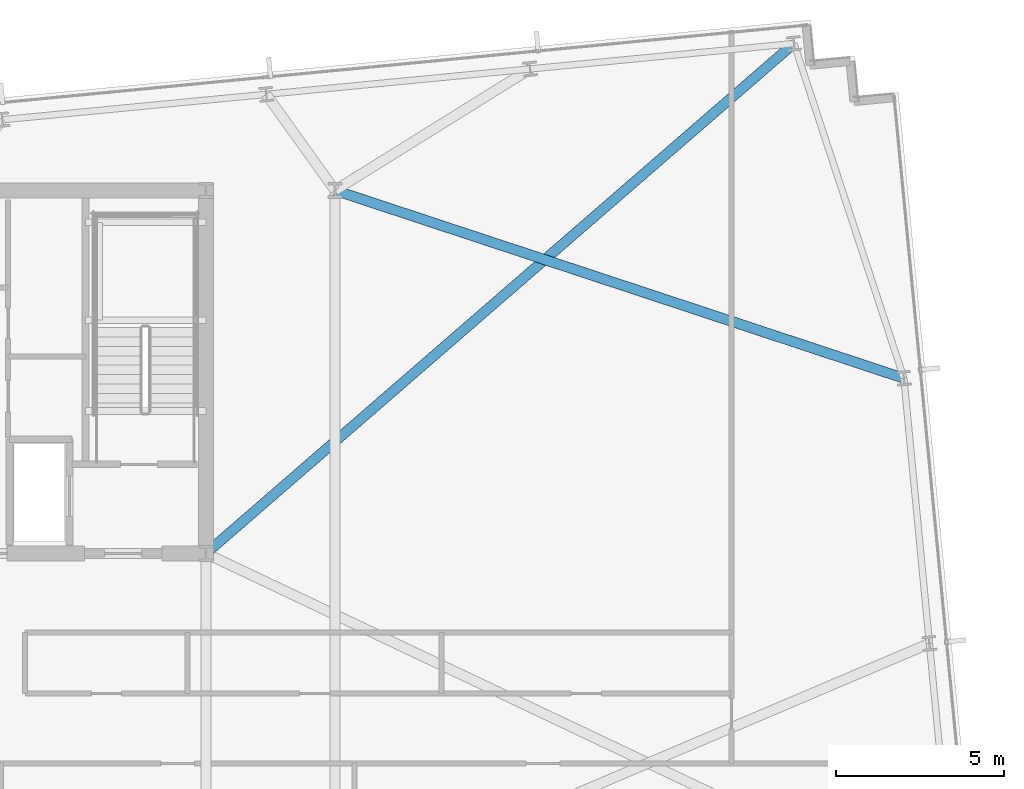
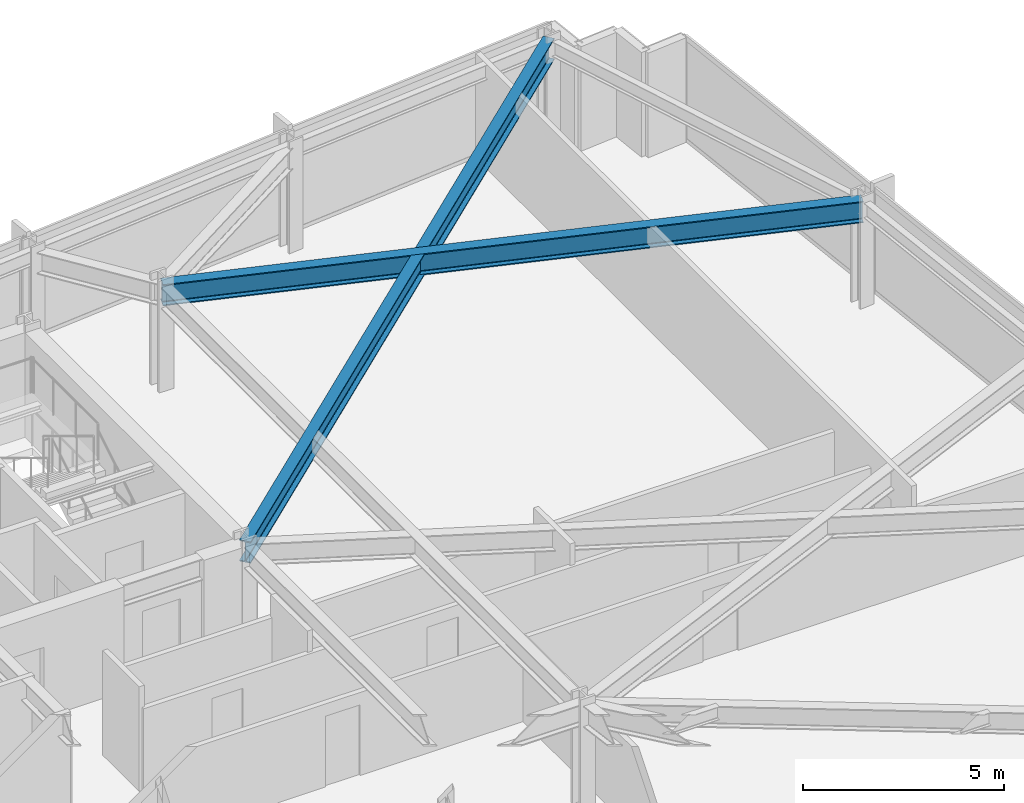
# One storey, part 22 of 32: 2 beams.
"""IFC4 building model written with IfcOpenShell, lengths in metres."""

import ifcopenshell
import ifcopenshell.guid

model = None  # the IFC model being written
_history = None  # IfcOwnerHistory: only IFC2X3 demands one
_inside = {}  # id of a spatial element -> (the spatial element, [elements in it])
_under = {}  # id of a project, library or spatial element -> (it, [spatial elements below it])
_declared = {}  # id of a project -> (the project, [libraries it declares])
_typed = {}  # id of a type object -> (the type object, [elements of that type])
_made_of = {}  # id of a material, layer set ... -> (it, [elements and type objects made of it])


def new_model(schema):
    """Start an empty IFC model of exactly this schema.

    Asked for "IFC4X3", IfcOpenShell would pick the latest addendum, in which some entities
    have other attributes; the version numbers below select the first issue.
    IFC2X3 requires an IfcOwnerHistory on every rooted entity: one is made here for all.
    """
    global model, _history
    if schema == "IFC4X3":
        model = ifcopenshell.file(schema_version=(4, 3, 0, 0))
    else:
        model = ifcopenshell.file(schema=schema)
    _inside.clear()
    _under.clear()
    _declared.clear()
    _typed.clear()
    _made_of.clear()
    _history = None
    if model.schema == "IFC2X3":
        org = make("IfcOrganization", Name="unknown")
        user = make(
            "IfcPersonAndOrganization",
            ThePerson=make("IfcPerson", FamilyName="unknown"),
            TheOrganization=org,
        )
        app = make(
            "IfcApplication",
            ApplicationDeveloper=org,
            Version="unknown",
            ApplicationFullName="unknown",
            ApplicationIdentifier="unknown",
        )
        _history = make(
            "IfcOwnerHistory",
            OwningUser=user,
            OwningApplication=app,
            ChangeAction="ADDED",
            CreationDate=0,
        )
    return model


def make(cls, **values):
    """One entity of the class cls with the attributes given. An attribute that is None is left unset."""
    return model.create_entity(
        cls, **{name: value for name, value in values.items() if value is not None}
    )


def rooted(cls, **values):
    """An entity with a GlobalId (a new one), such as an element, a storey or a relation."""
    return make(cls, GlobalId=ifcopenshell.guid.new(), OwnerHistory=_history, **values)


def si_unit(unit_type, name, prefix=None):
    """IfcSIUnit, for example si_unit("LENGTHUNIT", "METRE", prefix="MILLI")."""
    return make("IfcSIUnit", UnitType=unit_type, Prefix=prefix, Name=name)


def assignment(units):
    """IfcUnitAssignment: the units of a project."""
    return None if units is None else make("IfcUnitAssignment", Units=units)


def point(xyz):
    """IfcCartesianPoint."""
    return None if xyz is None else make("IfcCartesianPoint", Coordinates=xyz)


def direction(xyz):
    """IfcDirection."""
    return None if xyz is None else make("IfcDirection", DirectionRatios=xyz)


def frame(location, z_axis=None, x_axis=None):
    """IfcAxis2Placement3D, a coordinate frame: its origin and axes. An axis left out is left unset."""
    return make(
        "IfcAxis2Placement3D",
        Location=point(location),
        Axis=direction(z_axis),
        RefDirection=direction(x_axis),
    )


def frame_2d(location, x_axis=None):
    """IfcAxis2Placement2D, a coordinate frame in the plane: its origin and x axis."""
    return make(
        "IfcAxis2Placement2D", Location=point(location), RefDirection=direction(x_axis)
    )


def origin():
    """The frame at (0, 0, 0) with its axes left unset."""
    return frame((0.0, 0.0, 0.0))


def origin_2d():
    """The frame at (0, 0) in the plane with its x axis left unset."""
    return frame_2d((0.0, 0.0))


def place(relative_to, where):
    """IfcLocalPlacement: puts the frame where relative to a parent placement (None: the world)."""
    return make(
        "IfcLocalPlacement", PlacementRelTo=relative_to, RelativePlacement=where
    )


def context(
    kind, dimensions, precision=None, world=None, true_north=None, identifier=None
):
    """IfcGeometricRepresentationContext, for example the 3D "Model" context."""
    return make(
        "IfcGeometricRepresentationContext",
        ContextIdentifier=identifier,
        ContextType=kind,
        CoordinateSpaceDimension=dimensions,
        Precision=precision,
        WorldCoordinateSystem=world,
        TrueNorth=true_north,
    )


def subcontext(parent, identifier, kind, view, scale=None):
    """IfcGeometricRepresentationSubContext, for example "Body" below "Model"."""
    return make(
        "IfcGeometricRepresentationSubContext",
        ContextIdentifier=identifier,
        ContextType=kind,
        ParentContext=parent,
        TargetScale=scale,
        TargetView=view,
    )


def project(units=None, contexts=None):
    """IfcProject with its units and contexts."""
    return rooted(
        "IfcProject",
        Name="project",
        RepresentationContexts=contexts,
        UnitsInContext=assignment(units),
    )


def spatial(cls, under=None, at=None, **own):
    """A site, building, storey or space (cls), placed at a placement, below another one or the project."""
    s = rooted(cls, ObjectPlacement=at, **own)
    if under is not None:
        _under.setdefault(under.id(), (under, []))[1].append(s)
    return s


def profile(cls, at=None, kind="AREA", **sizes):
    """A parametric profile (cls). Its sizes go by their IFC names, for example OverallWidth=200.0."""
    return make(cls, ProfileType=kind, Position=at, **sizes)


def i_section(**sizes):
    """IfcIShapeProfileDef."""
    return profile("IfcIShapeProfileDef", **sizes)


def extrude(swept, where, along, depth):
    """IfcExtrudedAreaSolid: the profile swept, set in the frame where, extruded along a direction by depth."""
    return make(
        "IfcExtrudedAreaSolid",
        SweptArea=swept,
        Position=where,
        ExtrudedDirection=direction(along),
        Depth=depth,
    )


def shape(context_of_items, identifier, shape_type, items):
    """IfcShapeRepresentation: the items that make up one representation, for example the "Body"."""
    return make(
        "IfcShapeRepresentation",
        ContextOfItems=context_of_items,
        RepresentationIdentifier=identifier,
        RepresentationType=shape_type,
        Items=items,
    )


def material(Name=None, Category=None):
    """IfcMaterial."""
    return make("IfcMaterial", Name=Name, Category=Category)


def material_profile(
    of_material, cross_section, Name=None, Category=None, Priority=None
):
    """IfcMaterialProfile: a cross section and its material."""
    return make(
        "IfcMaterialProfile",
        Name=Name,
        Material=of_material,
        Profile=cross_section,
        Priority=Priority,
        Category=Category,
    )


def profile_set(profiles, Name=None, composite=None):
    """IfcMaterialProfileSet."""
    return make(
        "IfcMaterialProfileSet",
        Name=Name,
        MaterialProfiles=profiles,
        CompositeProfile=composite,
    )


def made_of(thing, what):
    """Note that an element or type object is made of a material, layer set ...; save() writes the relation."""
    if what is not None:
        _made_of.setdefault(what.id(), (what, []))[1].append(thing)
    return thing


def type_object(cls, material=None, **own):
    """A type object (cls), such as IfcWallType, which elements share."""
    return made_of(rooted(cls, **own), material)


def element(
    cls,
    number,
    at=None,
    inside=None,
    cuts=None,
    type_object=None,
    material=None,
    context=None,
    identifier="Body",
    shape_type=None,
    held_by="IfcProductDefinitionShape",
    body=None,
    shapes=None,
    **own,
):
    """One element of the class cls, such as IfcWall. Its Tag is "e" and its number.

    at: its placement. inside: the storey or other place that contains it. cuts: it is an
    opening in that element (IfcRelVoidsElement). A single representation is given by context,
    identifier, shape_type and body (its items); several are given by shapes. held_by: the class
    of the entity that holds the representations. save() writes the other relations.
    """
    e = rooted(cls, Tag="e%d" % number, ObjectPlacement=at, **own)
    if body is not None:
        shapes = [shape(context, identifier, shape_type, body)]
    if shapes is not None:
        e.Representation = make(held_by, Representations=shapes)
    if inside is not None:
        _inside.setdefault(inside.id(), (inside, []))[1].append(e)
    if cuts is not None:
        rooted(
            "IfcRelVoidsElement", RelatingBuildingElement=cuts, RelatedOpeningElement=e
        )
    if type_object is not None:
        _typed.setdefault(type_object.id(), (type_object, []))[1].append(e)
    return made_of(e, material)


def aggregate(whole, parts):
    """IfcRelAggregates: a whole, such as a stair, and the parts it consists of."""
    return rooted("IfcRelAggregates", RelatingObject=whole, RelatedObjects=parts)


def save(model, path):
    """Write the relations noted so far, then the file.

    IfcRelAggregates (storeys below a building ...), IfcRelContainedInSpatialStructure (elements
    in a storey), IfcRelDefinesByType, IfcRelAssociatesMaterial and IfcRelDeclares: one each for
    every whole, place, type object, material and project.
    """
    for whole, parts in _under.values():
        aggregate(whole, parts)
    for where, things in _inside.values():
        rooted(
            "IfcRelContainedInSpatialStructure",
            RelatedElements=things,
            RelatingStructure=where,
        )
    for kind, things in _typed.values():
        rooted("IfcRelDefinesByType", RelatedObjects=things, RelatingType=kind)
    for what, things in _made_of.values():
        rooted("IfcRelAssociatesMaterial", RelatedObjects=things, RelatingMaterial=what)
    for by, libraries in _declared.values():
        rooted("IfcRelDeclares", RelatingContext=by, RelatedDefinitions=libraries)
    model.write(path)


model = new_model("IFC4")

# Units and contexts
model_context = context("Model", 3, precision=1e-05, world=origin(), true_north=direction((0.0, 1.0)))
body_context = subcontext(model_context, "Body", "Model", "MODEL_VIEW")
ifc_project = project(units=[si_unit("LENGTHUNIT", "METRE"), si_unit("AREAUNIT", "SQUARE_METRE"), si_unit("VOLUMEUNIT", "CUBIC_METRE"), si_unit("PLANEANGLEUNIT", "RADIAN"), si_unit("MASSUNIT", "GRAM", prefix="KILO")], contexts=[model_context])

# Site, building, storey
site_placement = place(None, origin())
site = spatial("IfcSite", under=ifc_project, at=site_placement, CompositionType="ELEMENT")
building_placement = place(site_placement, origin())
building = spatial("IfcBuilding", under=site, at=building_placement, Name="Yelkora Congress Tower", CompositionType="ELEMENT")
storey_placement = place(building_placement, frame((0.0, 0.0, 116.89990234375)))
storey = spatial("IfcBuildingStorey", under=building, at=storey_placement, Name="L31", CompositionType="ELEMENT", Elevation=116.89990234375)

# Beams
ifc_material = material(Name="Steel S355J2", Category="steel")
ifc_material_profile = material_profile(ifc_material, i_section(OverallWidth=0.300048828125, OverallDepth=0.64990234375, WebThickness=0.01611328125, FlangeThickness=0.031005859375, FilletRadius=0.027099609375, at=origin_2d()), Name="HEB 650")
ifc_profile_set = profile_set([ifc_material_profile], Name="Steel S355J2")
beam_type = type_object("IfcBeamType", Name="BM-GIRD-HEB650", PredefinedType="BEAM", material=ifc_profile_set)
beam_1_placement = place(storey_placement, frame((71.252685546875, 50.568115234375, 2.85498046875), z_axis=(-0.755520317406, -0.655125217029, 0.0), x_axis=(0.655125217029, -0.755520317406, 0.0)))
element("IfcBeam", 1, at=beam_1_placement, inside=storey, type_object=beam_type, Name="L31 Primary Frame Girder N08", PredefinedType="BEAM", context=body_context, shape_type="SweptSolid", body=[
    extrude(i_section(OverallWidth=0.300048828125, OverallDepth=0.64990234375, WebThickness=0.01611328125, FlangeThickness=0.031005859375, FilletRadius=0.027099609375, at=origin_2d()), origin(), (0.0, 0.0, 1.0), 23.153076171875),
])
beam_2_placement = place(storey_placement, frame((74.522216796875, 40.610595703125, 2.85498046875), z_axis=(-0.949544183597, 0.313633294465, 0.0), x_axis=(-0.313633294465, -0.949544183597, 0.0)))
element("IfcBeam", 2, at=beam_2_placement, inside=storey, type_object=beam_type, Name="L31 Primary Frame Girder E03", PredefinedType="BEAM", context=body_context, shape_type="SweptSolid", body=[
    extrude(i_section(OverallWidth=0.300048828125, OverallDepth=0.64990234375, WebThickness=0.01611328125, FlangeThickness=0.031005859375, FilletRadius=0.027099609375, at=origin_2d()), origin(), (0.0, 0.0, 1.0), 17.8212890625),
])

save(model, "model.ifc")
